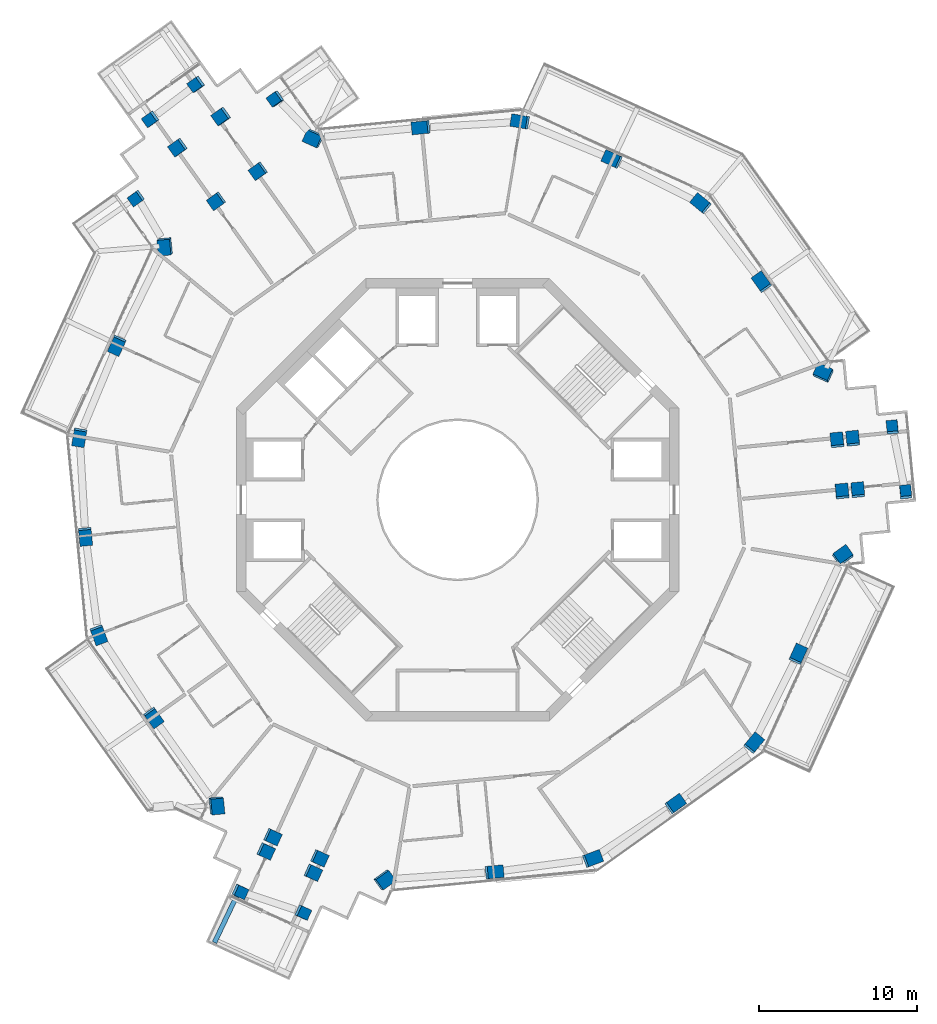
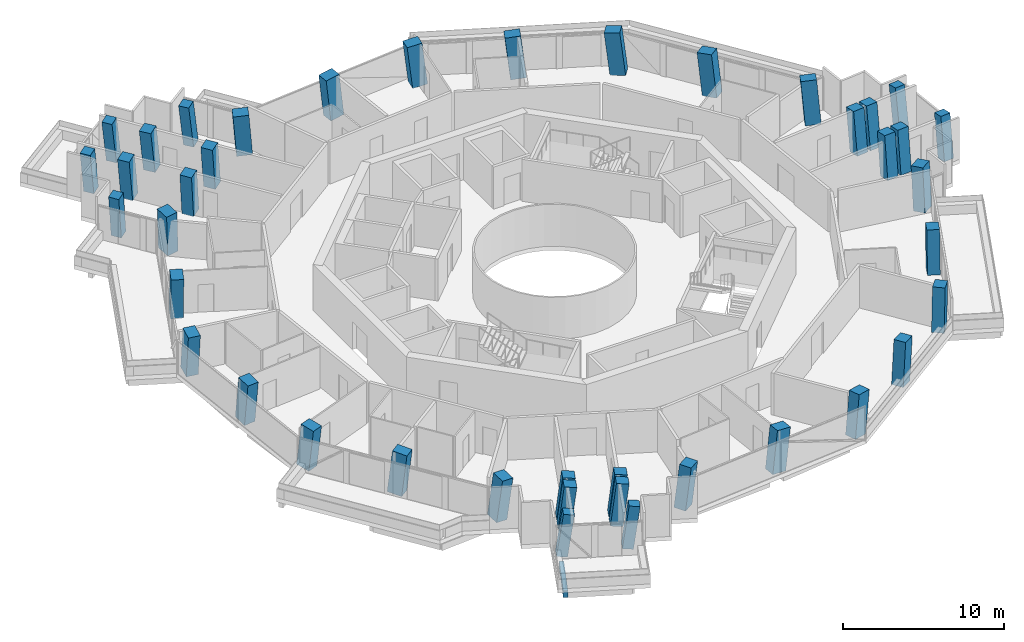
# One storey, part 1 of 22: 41 columns, 1 beam.
"""IFC4 building model written with IfcOpenShell, lengths in metres."""

from ifc_helpers import new_model, si_unit, direction, frame, origin, origin_2d, place, context, subcontext, project, spatial, rectangle, extrude, material, material_profile, profile_set, type_object, element, save


model = new_model("IFC4")

# Units and contexts
model_context = context("Model", 3, precision=1e-05, world=origin(), true_north=direction((0.0, 1.0)))
body_context = subcontext(model_context, "Body", "Model", "MODEL_VIEW")
ifc_project = project(units=[si_unit("LENGTHUNIT", "METRE"), si_unit("AREAUNIT", "SQUARE_METRE"), si_unit("VOLUMEUNIT", "CUBIC_METRE"), si_unit("PLANEANGLEUNIT", "RADIAN"), si_unit("MASSUNIT", "GRAM", prefix="KILO")], contexts=[model_context])

# Site, building, storey
site_placement = place(None, origin())
site = spatial("IfcSite", under=ifc_project, at=site_placement, CompositionType="ELEMENT")
building_placement = place(site_placement, origin())
building = spatial("IfcBuilding", under=site, at=building_placement, Name="Verdalira Terraces Hotel", CompositionType="ELEMENT")
storey_placement = place(building_placement, frame((0.0, 0.0, 180.0)))
storey = spatial("IfcBuildingStorey", under=building, at=storey_placement, Name="L43", CompositionType="ELEMENT", Elevation=180.0)

# Columns
ifc_material_1 = material(Name="Concrete C60", Category="concrete")
ifc_material_profile_1 = material_profile(ifc_material_1, rectangle(XDim=1.0, YDim=0.800049, at=origin_2d()), Name="RC 1000X800")
ifc_profile_set_1 = profile_set([ifc_material_profile_1], Name="Concrete C60")
column_type_1 = type_object("IfcColumnType", Name="Column RC 1000X800 C60", PredefinedType="COLUMN", material=ifc_profile_set_1)
column_1_placement = place(storey_placement, frame((-18.487793, 16.054443, 0.0), z_axis=(-0.075558093, -0.088556517, 0.993201247), x_axis=(-0.102968793, 0.991416597, 0.08056401)))
element("IfcColumn", 1, at=column_1_placement, inside=storey, type_object=column_type_1, Name="Column C03", PredefinedType="COLUMN", context=body_context, shape_type="SweptSolid", body=[
    extrude(rectangle(XDim=1.0, YDim=0.800049, at=origin_2d()), origin(), (0.0, 0.0, 1.0), 3.21167),
])
column_2_placement = place(storey_placement, frame((-21.531494, 9.803467, 0.0), z_axis=(-0.045781034, -0.102817207, 0.993646174), x_axis=(-0.411868945, -0.904266328, -0.112545016)))
element("IfcColumn", 2, at=column_2_placement, inside=storey, type_object=column_type_1, Name="Column C04", PredefinedType="COLUMN", context=body_context, shape_type="SweptSolid", body=[
    extrude(rectangle(XDim=1.0, YDim=0.800049, at=origin_2d()), origin(), (0.0, 0.0, 1.0), 3.210449),
])
column_3_placement = place(storey_placement, frame((-23.923584, 3.994873, 0.0), z_axis=(-0.018017551, -0.113959111, 0.993322047), x_axis=(0.163447069, 0.979782982, 0.115370553)))
element("IfcColumn", 3, at=column_3_placement, inside=storey, type_object=column_type_1, Name="Column C05", PredefinedType="COLUMN", context=body_context, shape_type="SweptSolid", body=[
    extrude(rectangle(XDim=1.0, YDim=0.800049, at=origin_2d()), origin(), (0.0, 0.0, 1.0), 3.211426),
])
column_4_placement = place(storey_placement, frame((-23.548584, -2.275879, 0.0), z_axis=(0.011711521, -0.111867836, 0.993654078), x_axis=(0.095071466, -0.989095922, -0.112475211)))
element("IfcColumn", 4, at=column_4_placement, inside=storey, type_object=column_type_1, Name="Column C06", PredefinedType="COLUMN", context=body_context, shape_type="SweptSolid", body=[
    extrude(rectangle(XDim=1.0, YDim=0.800049, at=origin_2d()), origin(), (0.0, 0.0, 1.0), 3.210205),
])
column_5_placement = place(storey_placement, frame((-22.71582, -8.502197, 0.0), z_axis=(0.041357002, -0.107649845, 0.993328299), x_axis=(-0.348347978, 0.93024499, 0.115316716)))
element("IfcColumn", 5, at=column_5_placement, inside=storey, type_object=column_type_1, Name="Column C07", PredefinedType="COLUMN", context=body_context, shape_type="SweptSolid", body=[
    extrude(rectangle(XDim=1.0, YDim=0.800049, at=origin_2d()), origin(), (0.0, 0.0, 1.0), 3.211426),
])
column_6_placement = place(storey_placement, frame((-19.255859, -13.745117, 0.0), z_axis=(0.066161617, -0.091105306, 0.993641013), x_axis=(0.577029592, -0.808925346, -0.112590564)))
element("IfcColumn", 6, at=column_6_placement, inside=storey, type_object=column_type_1, Name="Column C08", PredefinedType="COLUMN", context=body_context, shape_type="SweptSolid", body=[
    extrude(rectangle(XDim=1.0, YDim=0.800049, at=origin_2d()), origin(), (0.0, 0.0, 1.0), 3.210449),
])
column_7_placement = place(storey_placement, frame((-15.278076, -19.317627, 0.0), z_axis=(0.092426186, -0.071827916, 0.993125446), x_axis=(-0.089190474, 0.992788189, 0.080104122)))
element("IfcColumn", 7, at=column_7_placement, inside=storey, type_object=column_type_1, Name="Column C09", PredefinedType="COLUMN", context=body_context, shape_type="SweptSolid", body=[
    extrude(rectangle(XDim=1.0, YDim=0.800049, at=origin_2d()), origin(), (0.0, 0.0, 1.0), 3.211914),
])
column_8_placement = place(storey_placement, frame((-4.659668, -24.038086, 0.0), z_axis=(0.114477148, -0.021207918, 0.99319948), x_axis=(-0.80735258, -0.584542188, 0.080574446)))
element("IfcColumn", 8, at=column_8_placement, inside=storey, type_object=column_type_1, Name="Column C12", PredefinedType="COLUMN", context=body_context, shape_type="SweptSolid", body=[
    extrude(rectangle(XDim=1.0, YDim=0.800049, at=origin_2d()), origin(), (0.0, 0.0, 1.0), 3.21167),
])
column_9_placement = place(storey_placement, frame((2.275879, -23.548584, 0.0), z_axis=(0.111867836, 0.011711521, 0.993654078), x_axis=(0.989095922, 0.095071466, -0.112475211)))
element("IfcColumn", 9, at=column_9_placement, inside=storey, type_object=column_type_1, Name="Column C13", PredefinedType="COLUMN", context=body_context, shape_type="SweptSolid", body=[
    extrude(rectangle(XDim=1.0, YDim=0.800049, at=origin_2d()), origin(), (0.0, 0.0, 1.0), 3.210205),
])
column_10_placement = place(storey_placement, frame((8.502197, -22.71582, 0.0), z_axis=(0.107649845, 0.041357002, 0.993328299), x_axis=(-0.93024499, -0.348347978, 0.115316716)))
element("IfcColumn", 10, at=column_10_placement, inside=storey, type_object=column_type_1, Name="Column C14", PredefinedType="COLUMN", context=body_context, shape_type="SweptSolid", body=[
    extrude(rectangle(XDim=1.0, YDim=0.800049, at=origin_2d()), origin(), (0.0, 0.0, 1.0), 3.211426),
])
column_11_placement = place(storey_placement, frame((13.745117, -19.255859, 0.0), z_axis=(0.091105306, 0.066161617, 0.993641013), x_axis=(0.808925346, 0.577029592, -0.112590564)))
element("IfcColumn", 11, at=column_11_placement, inside=storey, type_object=column_type_1, Name="Column C15", PredefinedType="COLUMN", context=body_context, shape_type="SweptSolid", body=[
    extrude(rectangle(XDim=1.0, YDim=0.800049, at=origin_2d()), origin(), (0.0, 0.0, 1.0), 3.210449),
])
column_12_placement = place(storey_placement, frame((18.720947, -15.421387, 0.0), z_axis=(0.072602601, 0.089631902, 0.993325216), x_axis=(-0.631755416, -0.766538339, 0.115343267)))
element("IfcColumn", 12, at=column_12_placement, inside=storey, type_object=column_type_1, Name="Column C16", PredefinedType="COLUMN", context=body_context, shape_type="SweptSolid", body=[
    extrude(rectangle(XDim=1.0, YDim=0.800049, at=origin_2d()), origin(), (0.0, 0.0, 1.0), 3.211426),
])
column_13_placement = place(storey_placement, frame((21.531494, -9.803467, 0.0), z_axis=(0.045781034, 0.102817207, 0.993646174), x_axis=(0.411868945, 0.904266328, -0.112545016)))
element("IfcColumn", 13, at=column_13_placement, inside=storey, type_object=column_type_1, Name="Column C17", PredefinedType="COLUMN", context=body_context, shape_type="SweptSolid", body=[
    extrude(rectangle(XDim=1.0, YDim=0.800049, at=origin_2d()), origin(), (0.0, 0.0, 1.0), 3.210449),
])
for number, where, z_axis, x_axis, name in (
    (14, (24.368652, -3.57251, 0.0), (0.015961709, 0.115988415, 0.993122304), (-0.815017859, -0.573869582, 0.080122358), "Column C18"),
    (15, (23.147461, 7.983643, 0.0), (-0.038919032, 0.109763833, 0.993195454), (0.910035623, -0.4066191, 0.080598211), "Column C21"),
):
    element("IfcColumn", number, at=place(storey_placement, frame(where, z_axis=z_axis, x_axis=x_axis)), inside=storey, type_object=column_type_1, Name=name, PredefinedType="COLUMN", context=body_context, shape_type="SweptSolid", body=[
        extrude(rectangle(XDim=1.0, YDim=0.800049, at=origin_2d()), origin(), (0.0, 0.0, 1.0), 3.211914),
    ])
column_14_placement = place(storey_placement, frame((19.255859, 13.745117, 0.0), z_axis=(-0.066161617, 0.091105306, 0.993641013), x_axis=(-0.577029592, 0.808925346, -0.112590564)))
element("IfcColumn", 16, at=column_14_placement, inside=storey, type_object=column_type_1, Name="Column C22", PredefinedType="COLUMN", context=body_context, shape_type="SweptSolid", body=[
    extrude(rectangle(XDim=1.0, YDim=0.800049, at=origin_2d()), origin(), (0.0, 0.0, 1.0), 3.210449),
])
column_15_placement = place(storey_placement, frame((15.421387, 18.720947, 0.0), z_axis=(-0.089631902, 0.072602601, 0.993325216), x_axis=(0.766538339, -0.631755416, 0.115343267)))
element("IfcColumn", 17, at=column_15_placement, inside=storey, type_object=column_type_1, Name="Column C23", PredefinedType="COLUMN", context=body_context, shape_type="SweptSolid", body=[
    extrude(rectangle(XDim=1.0, YDim=0.800049, at=origin_2d()), origin(), (0.0, 0.0, 1.0), 3.211426),
])
column_16_placement = place(storey_placement, frame((9.803467, 21.531494, 0.0), z_axis=(-0.102817207, 0.045781034, 0.993646174), x_axis=(-0.904266328, 0.411868945, -0.112545016)))
element("IfcColumn", 18, at=column_16_placement, inside=storey, type_object=column_type_1, Name="Column C24", PredefinedType="COLUMN", context=body_context, shape_type="SweptSolid", body=[
    extrude(rectangle(XDim=1.0, YDim=0.800049, at=origin_2d()), origin(), (0.0, 0.0, 1.0), 3.210449),
])
column_17_placement = place(storey_placement, frame((3.994873, 23.923584, 0.0), z_axis=(-0.113959111, 0.018017551, 0.993322047), x_axis=(0.979782982, -0.163447069, 0.115370553)))
element("IfcColumn", 19, at=column_17_placement, inside=storey, type_object=column_type_1, Name="Column C25", PredefinedType="COLUMN", context=body_context, shape_type="SweptSolid", body=[
    extrude(rectangle(XDim=1.0, YDim=0.800049, at=origin_2d()), origin(), (0.0, 0.0, 1.0), 3.211426),
])
column_18_placement = place(storey_placement, frame((-2.275879, 23.548584, 0.0), z_axis=(-0.111867836, -0.011711521, 0.993654078), x_axis=(-0.989095922, -0.095071466, -0.112475211)))
element("IfcColumn", 20, at=column_18_placement, inside=storey, type_object=column_type_1, Name="Column C26", PredefinedType="COLUMN", context=body_context, shape_type="SweptSolid", body=[
    extrude(rectangle(XDim=1.0, YDim=0.800049, at=origin_2d()), origin(), (0.0, 0.0, 1.0), 3.210205),
])
column_19_placement = place(storey_placement, frame((-9.090332, 22.889893, 0.0), z_axis=(-0.108463625, -0.044084725, 0.993122439), x_axis=(0.904162927, -0.419606881, 0.080121576)))
element("IfcColumn", 21, at=column_19_placement, inside=storey, type_object=column_type_1, Name="Column C27", PredefinedType="COLUMN", context=body_context, shape_type="SweptSolid", body=[
    extrude(rectangle(XDim=1.0, YDim=0.800049, at=origin_2d()), origin(), (0.0, 0.0, 1.0), 3.211914),
])
ifc_material_2 = material(Name="Concrete C60", Category="concrete")
ifc_material_profile_2 = material_profile(ifc_material_2, rectangle(XDim=0.699951, YDim=0.699951, at=origin_2d()), Name="RC 700X700")
ifc_profile_set_2 = profile_set([ifc_material_profile_2], Name="Concrete C60")
column_type_2 = type_object("IfcColumnType", Name="Column RC 700X700 C60", PredefinedType="COLUMN", material=ifc_profile_set_2)
column_20_placement = place(storey_placement, frame((-11.47998, 25.376709, 0.0), z_axis=(-0.131978941, -0.038964489, 0.99048641), x_axis=(-0.575542306, 0.81655671, -0.044566739)))
element("IfcColumn", 22, at=column_20_placement, inside=storey, type_object=column_type_2, Name="Column C01", PredefinedType="COLUMN", context=body_context, shape_type="SweptSolid", body=[
    extrude(rectangle(XDim=0.699951, YDim=0.699951, at=origin_2d()), origin(), (0.0, 0.0, 1.0), 3.220459),
])
column_21_placement = place(storey_placement, frame((-20.298096, 19.106689, 0.0), z_axis=(-0.101989674, -0.080590055, 0.991515683), x_axis=(0.581646071, -0.813417696, -0.006284806)))
element("IfcColumn", 23, at=column_21_placement, inside=storey, type_object=column_type_2, Name="Column C02", PredefinedType="COLUMN", context=body_context, shape_type="SweptSolid", body=[
    extrude(rectangle(XDim=0.699951, YDim=0.699951, at=origin_2d()), origin(), (0.0, 0.0, 1.0), 3.217285),
])
column_22_placement = place(storey_placement, frame((-13.802734, -24.764893, 0.0), z_axis=(0.118005607, -0.064539056, 0.99091341), x_axis=(0.902273759, -0.409767015, -0.134138198)))
element("IfcColumn", 24, at=column_22_placement, inside=storey, type_object=column_type_2, Name="Column C10", PredefinedType="COLUMN", context=body_context, shape_type="SweptSolid", body=[
    extrude(rectangle(XDim=0.699951, YDim=0.699951, at=origin_2d()), origin(), (0.0, 0.0, 1.0), 3.219238),
])
column_23_placement = place(storey_placement, frame((-9.834473, -26.088379, 0.0), z_axis=(0.124185851, -0.045592973, 0.991210954), x_axis=(0.901710838, -0.411724536, -0.131910844)))
element("IfcColumn", 25, at=column_23_placement, inside=storey, type_object=column_type_2, Name="Column C11", PredefinedType="COLUMN", context=body_context, shape_type="SweptSolid", body=[
    extrude(rectangle(XDim=0.699951, YDim=0.699951, at=origin_2d()), origin(), (0.0, 0.0, 1.0), 3.218262),
])
column_24_placement = place(storey_placement, frame((28.348389, 0.428955, 0.0), z_axis=(-0.003109403, 0.134462737, 0.990913772), x_axis=(-0.096261816, 0.986276493, -0.134135539)))
element("IfcColumn", 26, at=column_24_placement, inside=storey, type_object=column_type_2, Name="Column C19", PredefinedType="COLUMN", context=body_context, shape_type="SweptSolid", body=[
    extrude(rectangle(XDim=0.699951, YDim=0.699951, at=origin_2d()), origin(), (0.0, 0.0, 1.0), 3.219238),
])
column_25_placement = place(storey_placement, frame((27.510498, 4.527344, 0.0), z_axis=(-0.022606874, 0.130330902, 0.991212785), x_axis=(-0.094299134, 0.986767861, -0.131897163)))
element("IfcColumn", 27, at=column_25_placement, inside=storey, type_object=column_type_2, Name="Column C20", PredefinedType="COLUMN", context=body_context, shape_type="SweptSolid", body=[
    extrude(rectangle(XDim=0.699951, YDim=0.699951, at=origin_2d()), origin(), (0.0, 0.0, 1.0), 3.218262),
])
column_26_placement = place(storey_placement, frame((-16.485107, 26.312988, 0.0), z_axis=(-0.136056529, -0.062655621, 0.988717803), x_axis=(-0.802673051, -0.577998707, -0.147083199)))
element("IfcColumn", 28, at=column_26_placement, inside=storey, type_object=column_type_2, Name="Column C28", PredefinedType="COLUMN", context=body_context, shape_type="SweptSolid", body=[
    extrude(rectangle(XDim=0.699951, YDim=0.699951, at=origin_2d()), origin(), (0.0, 0.0, 1.0), 3.226318),
])
column_27_placement = place(storey_placement, frame((-19.375732, 24.114502, 0.0), z_axis=(-0.125592218, -0.076309196, 0.989142811), x_axis=(-0.804160253, -0.576064619, -0.14654638)))
element("IfcColumn", 29, at=column_27_placement, inside=storey, type_object=column_type_2, Name="Column C29", PredefinedType="COLUMN", context=body_context, shape_type="SweptSolid", body=[
    extrude(rectangle(XDim=0.699951, YDim=0.699951, at=origin_2d()), origin(), (0.0, 0.0, 1.0), 3.224854),
])
ifc_material_3 = material(Name="Concrete C60", Category="concrete")
ifc_material_profile_3 = material_profile(ifc_material_3, rectangle(XDim=0.800049, YDim=0.800049, at=origin_2d()), Name="RC 800X800")
ifc_profile_set_3 = profile_set([ifc_material_profile_3], Name="Concrete C60")
column_type_3 = type_object("IfcColumnType", Name="Column RC 800X800 C60", PredefinedType="COLUMN", material=ifc_profile_set_3)
for number, where, z_axis, x_axis, name in (
    (30, (-12.582764, 20.822754, 0.0), (-0.098522584, -0.060664369, 0.993284015), (-0.580208969, 0.814430211, -0.007809239), "Column C30"),
    (31, (-15.233398, 18.930908, 0.0), (-0.089401692, -0.073209039, 0.993301452), (-0.581832028, 0.813273719, 0.007572947), "Column C31"),
):
    element("IfcColumn", number, at=place(storey_placement, frame(where, z_axis=z_axis, x_axis=x_axis)), inside=storey, type_object=column_type_3, Name=name, PredefinedType="COLUMN", context=body_context, shape_type="SweptSolid", body=[
        extrude(rectangle(XDim=0.800049, YDim=0.800049, at=origin_2d()), origin(), (0.0, 0.0, 1.0), 3.211426),
    ])
column_28_placement = place(storey_placement, frame((-14.909912, 24.279785, 0.0), z_axis=(-0.126662686, -0.055182786, 0.990409725), x_axis=(-0.577485375, 0.815907112, -0.028394129)))
element("IfcColumn", 32, at=column_28_placement, inside=storey, type_object=column_type_3, Name="Column C32", PredefinedType="COLUMN", context=body_context, shape_type="SweptSolid", body=[
    extrude(rectangle(XDim=0.800049, YDim=0.800049, at=origin_2d()), origin(), (0.0, 0.0, 1.0), 3.220947),
])
column_29_placement = place(storey_placement, frame((-17.653564, 22.321289, 0.0), z_axis=(-0.117304141, -0.068168341, 0.99075366), x_axis=(-0.579633185, 0.814780604, -0.012567333)))
element("IfcColumn", 33, at=column_29_placement, inside=storey, type_object=column_type_3, Name="Column C33", PredefinedType="COLUMN", context=body_context, shape_type="SweptSolid", body=[
    extrude(rectangle(XDim=0.800049, YDim=0.800049, at=origin_2d()), origin(), (0.0, 0.0, 1.0), 3.219727),
])
for number, where, z_axis, x_axis, name in (
    (34, (-11.741699, -21.30835, 0.0), (0.101791267, -0.055038743, 0.993282072), (-0.415569745, -0.909527781, -0.007810365), "Column C34"),
    (35, (-8.777832, -22.657715, 0.0), (0.108027898, -0.040824054, 0.993309302), (-0.41363853, -0.910409734, 0.007568523), "Column C35"),
):
    element("IfcColumn", number, at=place(storey_placement, frame(where, z_axis=z_axis, x_axis=x_axis)), inside=storey, type_object=column_type_3, Name=name, PredefinedType="COLUMN", context=body_context, shape_type="SweptSolid", body=[
        extrude(rectangle(XDim=0.800049, YDim=0.800049, at=origin_2d()), origin(), (0.0, 0.0, 1.0), 3.211426),
    ])
column_30_placement = place(storey_placement, frame((-12.171143, -22.21167, 0.0), z_axis=(0.105990255, -0.056908029, 0.992737398), x_axis=(-0.415078709, -0.909751769, -0.007834783)))
element("IfcColumn", 36, at=column_30_placement, inside=storey, type_object=column_type_3, Name="Column C36", PredefinedType="COLUMN", context=body_context, shape_type="SweptSolid", body=[
    extrude(rectangle(XDim=0.800049, YDim=0.800049, at=origin_2d()), origin(), (0.0, 0.0, 1.0), 3.213379),
])
column_31_placement = place(storey_placement, frame((-9.192383, -23.567871, 0.0), z_axis=(0.112373677, -0.042700478, 0.992748118), x_axis=(-0.41318765, -0.910614167, 0.007602891)))
element("IfcColumn", 37, at=column_31_placement, inside=storey, type_object=column_type_3, Name="Column C37", PredefinedType="COLUMN", context=body_context, shape_type="SweptSolid", body=[
    extrude(rectangle(XDim=0.800049, YDim=0.800049, at=origin_2d()), origin(), (0.0, 0.0, 1.0), 3.213135),
])
for number, where, z_axis, x_axis, name in (
    (38, (24.324463, 0.485596, 0.0), (-0.003268893, 0.115627577, 0.993287258), (0.995426599, 0.095209929, -0.007807359), "Column C38"),
    (39, (24.01123, 3.727051, 0.0), (-0.018701365, 0.114032714, 0.993300961), (0.995231163, 0.097250084, 0.007573224), "Column C39"),
):
    element("IfcColumn", number, at=place(storey_placement, frame(where, z_axis=z_axis, x_axis=x_axis)), inside=storey, type_object=column_type_3, Name=name, PredefinedType="COLUMN", context=body_context, shape_type="SweptSolid", body=[
        extrude(rectangle(XDim=0.800049, YDim=0.800049, at=origin_2d()), origin(), (0.0, 0.0, 1.0), 3.211426),
    ])
column_32_placement = place(storey_placement, frame((25.321289, 0.565186, 0.0), z_axis=(-0.003646931, 0.120348719, 0.99272498), x_axis=(0.995460923, 0.094847579, -0.007841454)))
element("IfcColumn", 40, at=column_32_placement, inside=storey, type_object=column_type_3, Name="Column C40", PredefinedType="COLUMN", context=body_context, shape_type="SweptSolid", body=[
    extrude(rectangle(XDim=0.800049, YDim=0.800049, at=origin_2d()), origin(), (0.0, 0.0, 1.0), 3.213379),
])
column_33_placement = place(storey_placement, frame((25.006592, 3.823242, 0.0), z_axis=(-0.019222781, 0.118679781, 0.99274649), x_axis=(0.995197721, 0.097589337, 0.007603741)))
element("IfcColumn", 41, at=column_33_placement, inside=storey, type_object=column_type_3, Name="Column C41", PredefinedType="COLUMN", context=body_context, shape_type="SweptSolid", body=[
    extrude(rectangle(XDim=0.800049, YDim=0.800049, at=origin_2d()), origin(), (0.0, 0.0, 1.0), 3.213135),
])

# Beam
ifc_material_4 = material(Name="Concrete C40", Category="concrete")
ifc_material_profile_4 = material_profile(ifc_material_4, rectangle(XDim=0.300049, YDim=0.5, at=origin_2d()), Name="RC 300X500")
ifc_profile_set_4 = profile_set([ifc_material_profile_4], Name="Concrete C40")
beam_type = type_object("IfcBeamType", Name="Balcony cantilever beam RC 300X500 C40", PredefinedType="BEAM", material=ifc_profile_set_4)
beam_placement = place(storey_placement, frame((-13.97876, -25.066406, -0.560059), z_axis=(-0.429566496, -0.903035229, 0.0), x_axis=(0.903035229, -0.429566496, 0.0)))
element("IfcBeam", 42, at=beam_placement, inside=storey, type_object=beam_type, Name="Balcony cantilever beam R19-1", PredefinedType="BEAM", context=body_context, shape_type="SweptSolid", body=[
    extrude(rectangle(XDim=0.300049, YDim=0.5, at=origin_2d()), origin(), (0.0, 0.0, 1.0), 3.253174),
])

save(model, "model.ifc")
